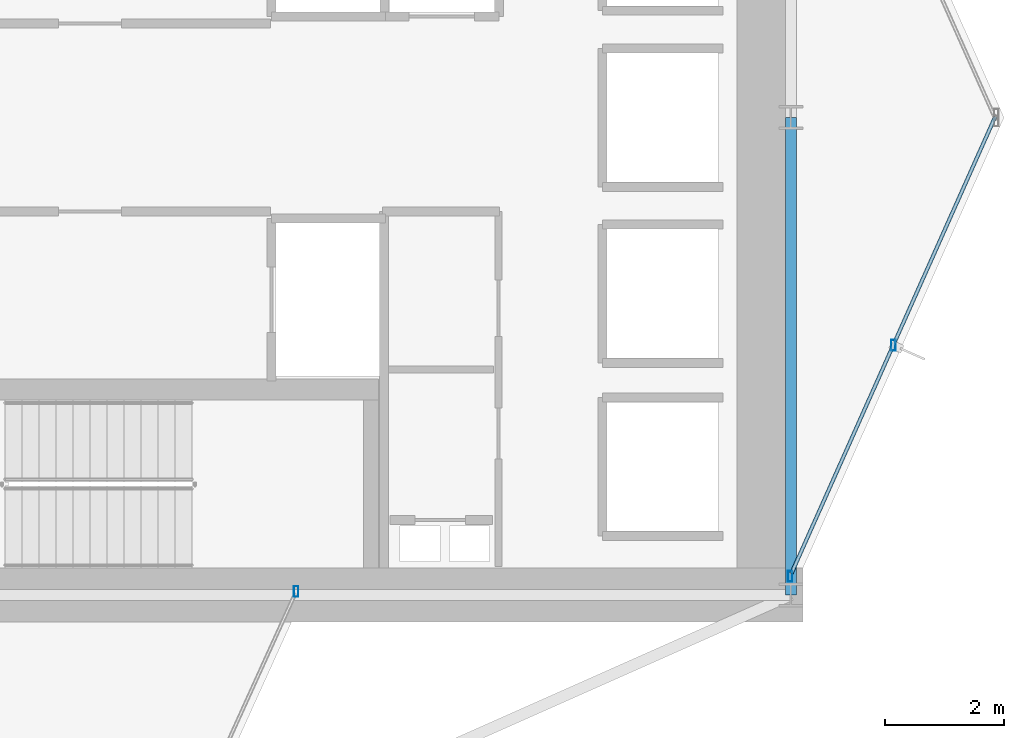
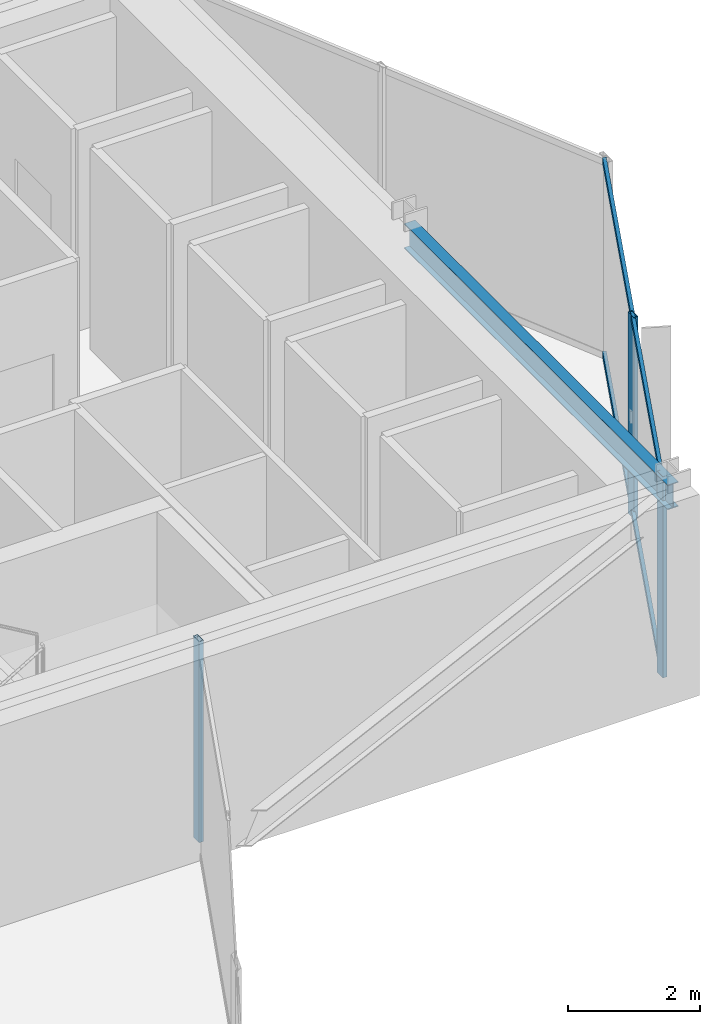
# One storey, part 12 of 25: 5 members, 1 beam, 2 elements without a shape of their own.
"""IFC4 building model written with IfcOpenShell, lengths in metres."""

import ifcopenshell
import ifcopenshell.guid

model = None  # the IFC model being written
_history = None  # IfcOwnerHistory: only IFC2X3 demands one
_inside = {}  # id of a spatial element -> (the spatial element, [elements in it])
_under = {}  # id of a project, library or spatial element -> (it, [spatial elements below it])
_declared = {}  # id of a project -> (the project, [libraries it declares])
_typed = {}  # id of a type object -> (the type object, [elements of that type])
_made_of = {}  # id of a material, layer set ... -> (it, [elements and type objects made of it])


def new_model(schema):
    """Start an empty IFC model of exactly this schema.

    Asked for "IFC4X3", IfcOpenShell would pick the latest addendum, in which some entities
    have other attributes; the version numbers below select the first issue.
    IFC2X3 requires an IfcOwnerHistory on every rooted entity: one is made here for all.
    """
    global model, _history
    if schema == "IFC4X3":
        model = ifcopenshell.file(schema_version=(4, 3, 0, 0))
    else:
        model = ifcopenshell.file(schema=schema)
    _inside.clear()
    _under.clear()
    _declared.clear()
    _typed.clear()
    _made_of.clear()
    _history = None
    if model.schema == "IFC2X3":
        org = make("IfcOrganization", Name="unknown")
        user = make(
            "IfcPersonAndOrganization",
            ThePerson=make("IfcPerson", FamilyName="unknown"),
            TheOrganization=org,
        )
        app = make(
            "IfcApplication",
            ApplicationDeveloper=org,
            Version="unknown",
            ApplicationFullName="unknown",
            ApplicationIdentifier="unknown",
        )
        _history = make(
            "IfcOwnerHistory",
            OwningUser=user,
            OwningApplication=app,
            ChangeAction="ADDED",
            CreationDate=0,
        )
    return model


def make(cls, **values):
    """One entity of the class cls with the attributes given. An attribute that is None is left unset."""
    return model.create_entity(
        cls, **{name: value for name, value in values.items() if value is not None}
    )


def rooted(cls, **values):
    """An entity with a GlobalId (a new one), such as an element, a storey or a relation."""
    return make(cls, GlobalId=ifcopenshell.guid.new(), OwnerHistory=_history, **values)


def si_unit(unit_type, name, prefix=None):
    """IfcSIUnit, for example si_unit("LENGTHUNIT", "METRE", prefix="MILLI")."""
    return make("IfcSIUnit", UnitType=unit_type, Prefix=prefix, Name=name)


def assignment(units):
    """IfcUnitAssignment: the units of a project."""
    return None if units is None else make("IfcUnitAssignment", Units=units)


def point(xyz):
    """IfcCartesianPoint."""
    return None if xyz is None else make("IfcCartesianPoint", Coordinates=xyz)


def direction(xyz):
    """IfcDirection."""
    return None if xyz is None else make("IfcDirection", DirectionRatios=xyz)


def frame(location, z_axis=None, x_axis=None):
    """IfcAxis2Placement3D, a coordinate frame: its origin and axes. An axis left out is left unset."""
    return make(
        "IfcAxis2Placement3D",
        Location=point(location),
        Axis=direction(z_axis),
        RefDirection=direction(x_axis),
    )


def frame_2d(location, x_axis=None):
    """IfcAxis2Placement2D, a coordinate frame in the plane: its origin and x axis."""
    return make(
        "IfcAxis2Placement2D", Location=point(location), RefDirection=direction(x_axis)
    )


def origin():
    """The frame at (0, 0, 0) with its axes left unset."""
    return frame((0.0, 0.0, 0.0))


def origin_2d():
    """The frame at (0, 0) in the plane with its x axis left unset."""
    return frame_2d((0.0, 0.0))


def place(relative_to, where):
    """IfcLocalPlacement: puts the frame where relative to a parent placement (None: the world)."""
    return make(
        "IfcLocalPlacement", PlacementRelTo=relative_to, RelativePlacement=where
    )


def context(
    kind, dimensions, precision=None, world=None, true_north=None, identifier=None
):
    """IfcGeometricRepresentationContext, for example the 3D "Model" context."""
    return make(
        "IfcGeometricRepresentationContext",
        ContextIdentifier=identifier,
        ContextType=kind,
        CoordinateSpaceDimension=dimensions,
        Precision=precision,
        WorldCoordinateSystem=world,
        TrueNorth=true_north,
    )


def subcontext(parent, identifier, kind, view, scale=None):
    """IfcGeometricRepresentationSubContext, for example "Body" below "Model"."""
    return make(
        "IfcGeometricRepresentationSubContext",
        ContextIdentifier=identifier,
        ContextType=kind,
        ParentContext=parent,
        TargetScale=scale,
        TargetView=view,
    )


def project(units=None, contexts=None):
    """IfcProject with its units and contexts."""
    return rooted(
        "IfcProject",
        Name="project",
        RepresentationContexts=contexts,
        UnitsInContext=assignment(units),
    )


def spatial(cls, under=None, at=None, **own):
    """A site, building, storey or space (cls), placed at a placement, below another one or the project."""
    s = rooted(cls, ObjectPlacement=at, **own)
    if under is not None:
        _under.setdefault(under.id(), (under, []))[1].append(s)
    return s


def profile(cls, at=None, kind="AREA", **sizes):
    """A parametric profile (cls). Its sizes go by their IFC names, for example OverallWidth=200.0."""
    return make(cls, ProfileType=kind, Position=at, **sizes)


def hollow_rectangle(**sizes):
    """IfcRectangleHollowProfileDef."""
    return profile("IfcRectangleHollowProfileDef", **sizes)


def i_section(**sizes):
    """IfcIShapeProfileDef."""
    return profile("IfcIShapeProfileDef", **sizes)


def extrude(swept, where, along, depth):
    """IfcExtrudedAreaSolid: the profile swept, set in the frame where, extruded along a direction by depth."""
    return make(
        "IfcExtrudedAreaSolid",
        SweptArea=swept,
        Position=where,
        ExtrudedDirection=direction(along),
        Depth=depth,
    )


def shape(context_of_items, identifier, shape_type, items):
    """IfcShapeRepresentation: the items that make up one representation, for example the "Body"."""
    return make(
        "IfcShapeRepresentation",
        ContextOfItems=context_of_items,
        RepresentationIdentifier=identifier,
        RepresentationType=shape_type,
        Items=items,
    )


def material(Name=None, Category=None):
    """IfcMaterial."""
    return make("IfcMaterial", Name=Name, Category=Category)


def layer(
    of_material, thickness, ventilated=None, Name=None, Category=None, Priority=None
):
    """IfcMaterialLayer: one layer of a wall or slab, of a material (None: an air gap)."""
    return make(
        "IfcMaterialLayer",
        Material=of_material,
        LayerThickness=thickness,
        IsVentilated=ventilated,
        Name=Name,
        Category=Category,
        Priority=Priority,
    )


def layer_set(layers, Name=None):
    """IfcMaterialLayerSet."""
    return make("IfcMaterialLayerSet", MaterialLayers=layers, LayerSetName=Name)


def material_profile(
    of_material, cross_section, Name=None, Category=None, Priority=None
):
    """IfcMaterialProfile: a cross section and its material."""
    return make(
        "IfcMaterialProfile",
        Name=Name,
        Material=of_material,
        Profile=cross_section,
        Priority=Priority,
        Category=Category,
    )


def profile_set(profiles, Name=None, composite=None):
    """IfcMaterialProfileSet."""
    return make(
        "IfcMaterialProfileSet",
        Name=Name,
        MaterialProfiles=profiles,
        CompositeProfile=composite,
    )


def made_of(thing, what):
    """Note that an element or type object is made of a material, layer set ...; save() writes the relation."""
    if what is not None:
        _made_of.setdefault(what.id(), (what, []))[1].append(thing)
    return thing


def type_object(cls, material=None, **own):
    """A type object (cls), such as IfcWallType, which elements share."""
    return made_of(rooted(cls, **own), material)


def element(
    cls,
    number,
    at=None,
    inside=None,
    cuts=None,
    type_object=None,
    material=None,
    context=None,
    identifier="Body",
    shape_type=None,
    held_by="IfcProductDefinitionShape",
    body=None,
    shapes=None,
    **own,
):
    """One element of the class cls, such as IfcWall. Its Tag is "e" and its number.

    at: its placement. inside: the storey or other place that contains it. cuts: it is an
    opening in that element (IfcRelVoidsElement). A single representation is given by context,
    identifier, shape_type and body (its items); several are given by shapes. held_by: the class
    of the entity that holds the representations. save() writes the other relations.
    """
    e = rooted(cls, Tag="e%d" % number, ObjectPlacement=at, **own)
    if body is not None:
        shapes = [shape(context, identifier, shape_type, body)]
    if shapes is not None:
        e.Representation = make(held_by, Representations=shapes)
    if inside is not None:
        _inside.setdefault(inside.id(), (inside, []))[1].append(e)
    if cuts is not None:
        rooted(
            "IfcRelVoidsElement", RelatingBuildingElement=cuts, RelatedOpeningElement=e
        )
    if type_object is not None:
        _typed.setdefault(type_object.id(), (type_object, []))[1].append(e)
    return made_of(e, material)


def aggregate(whole, parts):
    """IfcRelAggregates: a whole, such as a stair, and the parts it consists of."""
    return rooted("IfcRelAggregates", RelatingObject=whole, RelatedObjects=parts)


def save(model, path):
    """Write the relations noted so far, then the file.

    IfcRelAggregates (storeys below a building ...), IfcRelContainedInSpatialStructure (elements
    in a storey), IfcRelDefinesByType, IfcRelAssociatesMaterial and IfcRelDeclares: one each for
    every whole, place, type object, material and project.
    """
    for whole, parts in _under.values():
        aggregate(whole, parts)
    for where, things in _inside.values():
        rooted(
            "IfcRelContainedInSpatialStructure",
            RelatedElements=things,
            RelatingStructure=where,
        )
    for kind, things in _typed.values():
        rooted("IfcRelDefinesByType", RelatedObjects=things, RelatingType=kind)
    for what, things in _made_of.values():
        rooted("IfcRelAssociatesMaterial", RelatedObjects=things, RelatingMaterial=what)
    for by, libraries in _declared.values():
        rooted("IfcRelDeclares", RelatingContext=by, RelatedDefinitions=libraries)
    model.write(path)


model = new_model("IFC4")

# Units and contexts
model_context = context("Model", 3, precision=1e-05, world=origin(), true_north=direction((0.0, 1.0)))
body_context = subcontext(model_context, "Body", "Model", "MODEL_VIEW")
ifc_project = project(units=[si_unit("LENGTHUNIT", "METRE"), si_unit("AREAUNIT", "SQUARE_METRE"), si_unit("VOLUMEUNIT", "CUBIC_METRE"), si_unit("PLANEANGLEUNIT", "RADIAN"), si_unit("MASSUNIT", "GRAM", prefix="KILO")], contexts=[model_context])

# Site, building, storey
site_placement = place(None, origin())
site = spatial("IfcSite", under=ifc_project, at=site_placement, CompositionType="ELEMENT")
building_placement = place(site_placement, origin())
building = spatial("IfcBuilding", under=site, at=building_placement, Name="Veymaron Broadcast Tower", CompositionType="ELEMENT")
storey_placement = place(building_placement, frame((0.0, 0.0, 102.60009765625)))
storey = spatial("IfcBuildingStorey", under=building, at=storey_placement, Name="L23", CompositionType="ELEMENT", Elevation=102.60009765625)

# Beam
ifc_material_1 = material(Name="Structural steel ASTM A992 Gr 50", Category="steel")
ifc_material_profile_1 = material_profile(ifc_material_1, i_section(OverallWidth=0.19091796875, OverallDepth=0.4599609375, WebThickness=0.010009765625, FlangeThickness=0.01611328125, at=origin_2d()), Name="W460X82")
ifc_profile_set_1 = profile_set([ifc_material_profile_1], Name="Structural steel ASTM A992 Gr 50")
beam_type = type_object("IfcBeamType", Name="BM-SP1", PredefinedType="SPANDREL", material=ifc_profile_set_1)
beam_placement = place(storey_placement, frame((54.60009765625, 16.0, 3.5), z_axis=(0.0, 1.0, 0.0), x_axis=(-1.0, 0.0, 0.0)))
element("IfcBeam", 1, at=beam_placement, inside=storey, type_object=beam_type, Name="L23 primary structural floor girder", PredefinedType="SPANDREL", context=body_context, shape_type="SweptSolid", body=[
    extrude(i_section(OverallWidth=0.19091796875, OverallDepth=0.4599609375, WebThickness=0.010009765625, FlangeThickness=0.01611328125, at=origin_2d()), origin(), (0.0, 0.0, 1.0), 8.0),
])

# Curtain wall, members
ifc_material_2 = material(Name="Anodised aluminium AA 6063-T6 and laminated low-E dark glass", Category="aluminium")
ifc_layer = layer(ifc_material_2, 0.179931640625)
ifc_layer_set = layer_set([ifc_layer], Name="Anodised aluminium AA 6063-T6 and laminated low-E dark glass")
curtain_wall_type = type_object("IfcCurtainWallType", Name="CW-SYS-02", PredefinedType="NOTDEFINED", material=ifc_layer_set)
curtain_wall_1_placement = place(storey_placement, origin())
curtain_wall_1 = element("IfcCurtainWall", 2, at=curtain_wall_1_placement, inside=storey, type_object=curtain_wall_type, Name="L23 dark-glass curtain wall CW-L23-E2-1", PredefinedType="NOTDEFINED")
ifc_material_3 = material(Name="Anodised aluminium AA 6063-T6", Category="aluminium")
ifc_material_profile_2 = material_profile(ifc_material_3, hollow_rectangle(XDim=0.074951171875, YDim=0.179931640625, WallThickness=0.0048828125, at=origin_2d()), Name="AL180X75X5")
ifc_profile_set_2 = profile_set([ifc_material_profile_2], Name="Anodised aluminium AA 6063-T6")
member_type_1 = type_object("IfcMemberType", Name="CW-MUL-02", PredefinedType="MULLION", material=ifc_profile_set_2)
member_1_placement = place(storey_placement, frame((54.5869140625, 16.314453125, 0.0), z_axis=(0.0, 0.0, 1.0), x_axis=(1.0, 0.0, 0.0)))
member_1 = element("IfcMember", 3, at=member_1_placement, type_object=member_type_1, Name="CW-L23-E2-1 mullion 0", PredefinedType="MULLION", context=body_context, shape_type="SweptSolid", body=[
    extrude(hollow_rectangle(XDim=0.074951171875, YDim=0.179931640625, WallThickness=0.0048828125, at=origin_2d()), origin(), (0.0, 0.0, 1.0), 3.72998046875),
])
member_2_placement = place(storey_placement, frame((56.314697265625, 20.185791015625, 0.0), z_axis=(0.0, 0.0, 1.0), x_axis=(1.0, 0.0, 0.0)))
member_2 = element("IfcMember", 4, at=member_2_placement, type_object=member_type_1, Name="CW-L23-E2-1 mullion 1", PredefinedType="MULLION", context=body_context, shape_type="SweptSolid", body=[
    extrude(hollow_rectangle(XDim=0.074951171875, YDim=0.179931640625, WallThickness=0.0048828125, at=origin_2d()), origin(), (0.0, 0.0, 1.0), 3.72998046875),
])

# Curtain wall, member
curtain_wall_2_placement = place(storey_placement, origin())
curtain_wall_2 = element("IfcCurtainWall", 5, at=curtain_wall_2_placement, inside=storey, type_object=curtain_wall_type, Name="L23 dark-glass curtain wall CW-L23-E20-1", PredefinedType="NOTDEFINED")
member_3_placement = place(storey_placement, frame((46.309814453125, 16.057861328125, 0.0), z_axis=(0.0, 0.0, 1.0), x_axis=(1.0, 0.0, 0.0)))
member_3 = element("IfcMember", 6, at=member_3_placement, type_object=member_type_1, Name="CW-L23-E20-1 mullion 2", PredefinedType="MULLION", context=body_context, shape_type="SweptSolid", body=[
    extrude(hollow_rectangle(XDim=0.074951171875, YDim=0.179931640625, WallThickness=0.0048828125, at=origin_2d()), origin(), (0.0, 0.0, 1.0), 3.72998046875),
])
aggregate(curtain_wall_2, [member_3])

# Member
ifc_material_profile_3 = material_profile(ifc_material_3, hollow_rectangle(XDim=0.06005859375, YDim=0.1201171875, WallThickness=0.00390625, at=origin_2d()), Name="AL120X60X4")
ifc_profile_set_3 = profile_set([ifc_material_profile_3], Name="Anodised aluminium AA 6063-T6")
member_type_2 = type_object("IfcMemberType", Name="CW-TRN-02", PredefinedType="USERDEFINED", material=ifc_profile_set_3)
member_4_placement = place(storey_placement, frame((54.607421875, 16.360107421875, 0.06982421875), z_axis=(0.407503321376, 0.913203724843, 0.0), x_axis=(-0.913203724843, 0.407503321376, 0.0)))
member_4 = element("IfcMember", 7, at=member_4_placement, type_object=member_type_2, Name="CW-L23-E2-1 transom B", ObjectType="TRANSOM", PredefinedType="USERDEFINED", context=body_context, shape_type="SweptSolid", body=[
    extrude(hollow_rectangle(XDim=0.06005859375, YDim=0.1201171875, WallThickness=0.00390625, at=origin_2d()), origin(), (0.0, 0.0, 1.0), 8.378662109375),
])

member_5_placement = place(storey_placement, frame((54.607421875, 16.360107421875, 3.659912109375), z_axis=(0.407503321376, 0.913203724843, 0.0), x_axis=(-0.913203724843, 0.407503321376, 0.0)))
member_5 = element("IfcMember", 8, at=member_5_placement, type_object=member_type_2, Name="CW-L23-E2-1 transom T", ObjectType="TRANSOM", PredefinedType="USERDEFINED", context=body_context, shape_type="SweptSolid", body=[
    extrude(hollow_rectangle(XDim=0.06005859375, YDim=0.1201171875, WallThickness=0.00390625, at=origin_2d()), origin(), (0.0, 0.0, 1.0), 8.378662109375),
])

aggregate(curtain_wall_1, [member_1, member_2, member_4, member_5])

save(model, "model.ifc")
